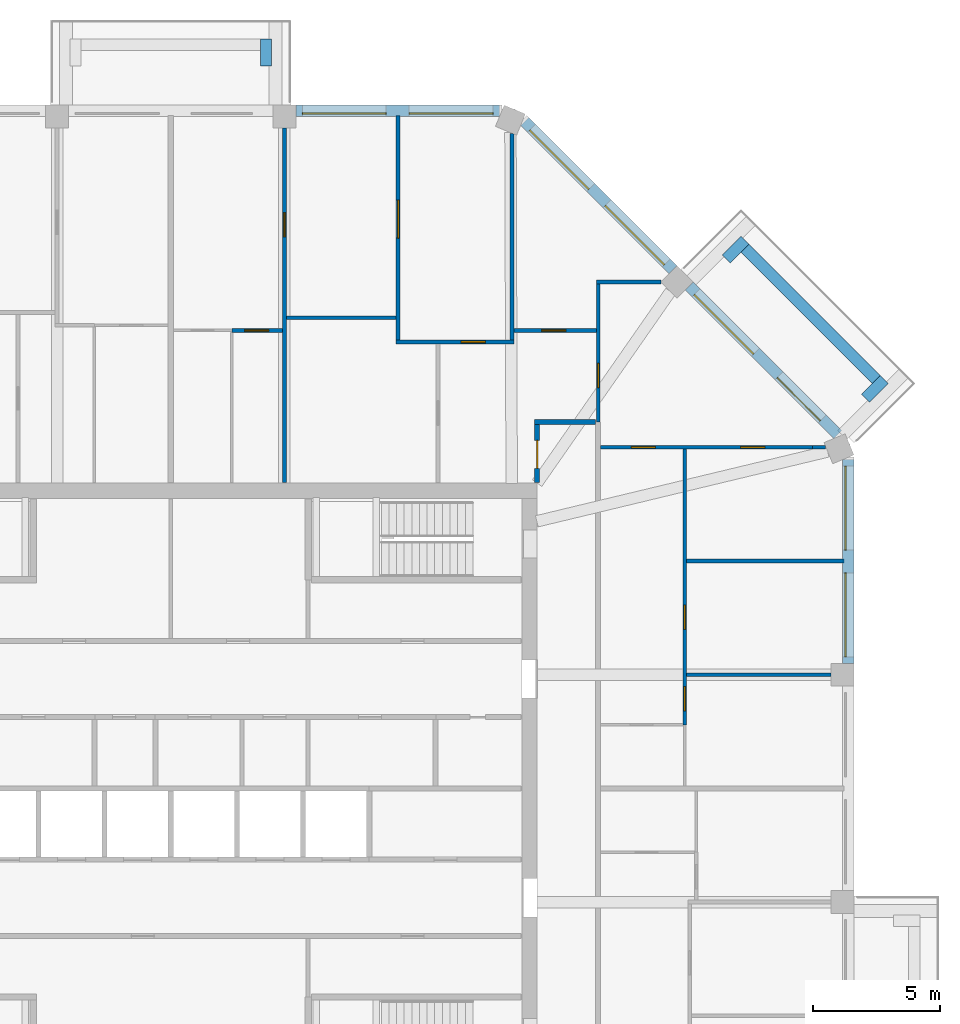
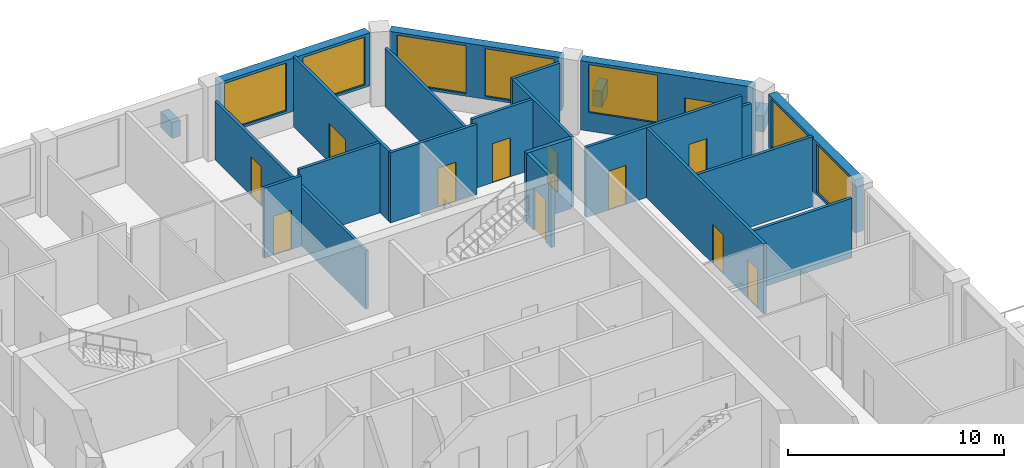
# One storey, part 9 of 11: 24 walls, 12 doors, 7 windows, 19 openings.
"""IFC4 building model written with IfcOpenShell, lengths in metres."""

from ifc_helpers import new_model, si_unit, direction, frame, frame_2d, origin, place, context, subcontext, project, spatial, rectangle, extrude, material, layer, layer_set, type_object, element, fill, save


model = new_model("IFC4")

# Units and contexts
model_context = context("Model", 3, precision=1e-05, world=origin(), true_north=direction((0.0, 1.0)))
body_context = subcontext(model_context, "Body", "Model", "MODEL_VIEW")
ifc_project = project(units=[si_unit("LENGTHUNIT", "METRE"), si_unit("AREAUNIT", "SQUARE_METRE"), si_unit("VOLUMEUNIT", "CUBIC_METRE"), si_unit("PLANEANGLEUNIT", "RADIAN"), si_unit("MASSUNIT", "GRAM", prefix="KILO")], contexts=[model_context])

# Site, building, storey
site_placement = place(None, origin())
site = spatial("IfcSite", under=ifc_project, at=site_placement, CompositionType="ELEMENT")
building_placement = place(site_placement, origin())
building = spatial("IfcBuilding", under=site, at=building_placement, Name="Msitu Wima Residences", CompositionType="ELEMENT")
storey_placement = place(building_placement, frame((0.0, 0.0, 230.699951171875)))
storey = spatial("IfcBuildingStorey", under=building, at=storey_placement, Name="L53", CompositionType="ELEMENT", Elevation=230.699951171875)

# Walls
ifc_material_1 = material(Name="Facing brick")
ifc_layer_1 = layer(ifc_material_1, 0.06494140625, Name="Facing brick")
ifc_material_2 = material(Name="Concrete C40/50", Category="concrete")
ifc_layer_2 = layer(ifc_material_2, 0.156005859375, Name="Concrete C40/50")
ifc_material_3 = material(Name="Waterproofing membrane")
ifc_layer_3 = layer(ifc_material_3, 0.00390625, Name="Waterproofing membrane")
ifc_material_4 = material(Name="Planting soil and planting")
ifc_layer_4 = layer(ifc_material_4, 0.22509765625, Name="Planting soil and planting")
ifc_layer_set_1 = layer_set([ifc_layer_1, ifc_layer_2, ifc_layer_3, ifc_layer_4], Name="Concrete C40/50")
wall_type_1 = type_object("IfcWallType", Name="Balcony planter PLANTER PL450", PredefinedType="USERDEFINED", material=ifc_layer_set_1)
wall_1_placement = place(storey_placement, frame((27.725830078125, 16.0751953125, 0.0), z_axis=(0.0, 0.0, 1.0), x_axis=(-0.707106781187, 0.707106781187, 0.0)))
element("IfcWall", 1, at=wall_1_placement, inside=storey, type_object=wall_type_1, Name="Balcony planter NE0 L53", ObjectType="PLANTER", PredefinedType="USERDEFINED", context=body_context, shape_type="SweptSolid", body=[
    extrude(rectangle(XDim=7.288330078125, YDim=0.449951171875, at=frame_2d((3.64404296875, 0.0))), origin(), (0.0, 0.0, 1.0), 0.900146484375),
])
for number, where, z_axis, x_axis, name in (
    (2, (27.301513671875, 15.332763671875, 0.0), (0.0, 0.0, 1.0), (0.707106781187, 0.707106781187, 0.0), "Balcony planter NE0 L53"),
    (3, (21.829833984375, 20.804443359375, 0.0), (0.0, 0.0, 1.0), (0.707106781187, 0.707106781187, 0.0), "Balcony planter NE0 L53"),
    (4, (3.74365234375, 28.39990234375, 0.0), (0.0, 0.0, 1.0), (0.0, 1.0, 0.0), "Balcony planter N1 L53"),
):
    element("IfcWall", number, at=place(storey_placement, frame(where, z_axis=z_axis, x_axis=x_axis)), inside=storey, type_object=wall_type_1, Name=name, ObjectType="PLANTER", PredefinedType="USERDEFINED", context=body_context, shape_type="SweptSolid", body=[
        extrude(rectangle(XDim=1.050048828125, YDim=0.449951171875, at=frame_2d((0.52490234375, 0.0))), origin(), (0.0, 0.0, 1.0), 0.900146484375),
    ])

# Wall, openings, windows
ifc_material_5 = material(Name="Brick (red buff mix)", Category="masonry")
ifc_layer_5 = layer(ifc_material_5, 0.449951171875)
ifc_layer_set_2 = layer_set([ifc_layer_5], Name="Brick (red buff mix)")
wall_type_2 = type_object("IfcWallType", Name="Brick infill wall BW450", PredefinedType="SOLIDWALL", material=ifc_layer_set_2)
wall_2_placement = place(storey_placement, frame((26.625, 4.918701171875, 0.900146484375), z_axis=(0.0, 0.0, 1.0), x_axis=(0.0, 1.0, 0.0)))
wall_2 = element("IfcWall", 5, at=wall_2_placement, inside=storey, type_object=wall_type_2, Name="Brick infill wall L53 E2", PredefinedType="SOLIDWALL", context=body_context, shape_type="SweptSolid", body=[
    extrude(rectangle(XDim=8.0, YDim=0.449951171875, at=frame_2d((4.0, 0.0))), origin(), (0.0, 0.0, 1.0), 3.0),
])
opening_1_placement = place(wall_2_placement, frame((0.25, 0.0, 0.14990234375)))
opening_1 = element("IfcOpeningElement", 6, at=opening_1_placement, cuts=wall_2, Name="Opening W52-54.004", PredefinedType="OPENING", context=body_context, shape_type="SweptSolid", body=[
    extrude(rectangle(XDim=3.300048828125, YDim=2.699951171875, at=frame_2d((1.64990234375, 1.35009765625))), frame((0.0, 0.23486328125, 0.0), z_axis=(0.0, -1.0, 0.0), x_axis=(1.0, 0.0, 0.0)), (0.0, 0.0, 1.0), 0.469970703125),
])
opening_2_placement = place(wall_2_placement, frame((4.4501953125, 0.0, 0.14990234375)))
opening_2 = element("IfcOpeningElement", 7, at=opening_2_placement, cuts=wall_2, Name="Opening W52-54.005", PredefinedType="OPENING", context=body_context, shape_type="SweptSolid", body=[
    extrude(rectangle(XDim=3.300048828125, YDim=2.699951171875, at=frame_2d((1.64990234375, 1.35009765625))), frame((0.0, 0.23486328125, 0.0), z_axis=(0.0, -1.0, 0.0), x_axis=(1.0, 0.0, 0.0)), (0.0, 0.0, 1.0), 0.469970703125),
])
ifc_material_6 = material(Name="Anodised aluminium, bronze finish, clear low-emissivity double glazing", Category="aluminium")
window_type = type_object("IfcWindowType", Name="Window W3300x2700", PartitioningType="DOUBLE_PANEL_VERTICAL", PredefinedType="WINDOW", material=ifc_material_6)
window_1_placement = place(opening_1_placement, origin())
window_1 = element("IfcWindow", 8, at=window_1_placement, inside=storey, type_object=window_type, Name="Window L53 E2.1", OverallHeight=2.699951171875, OverallWidth=3.300048828125, PartitioningType="SINGLE_PANEL", PredefinedType="WINDOW", context=body_context, shape_type="SweptSolid", body=[
    extrude(rectangle(XDim=3.300048828125, YDim=2.699951171875, at=frame_2d((1.64990234375, 1.35009765625))), frame((0.0, 0.135009765625, 0.0), z_axis=(0.0, -1.0, 0.0), x_axis=(1.0, 0.0, 0.0)), (0.0, 0.0, 1.0), 0.06005859375),
])
fill(opening_1, window_1)
window_2_placement = place(opening_2_placement, origin())
window_2 = element("IfcWindow", 9, at=window_2_placement, inside=storey, type_object=window_type, Name="Window L53 E2.2", OverallHeight=2.699951171875, OverallWidth=3.300048828125, PartitioningType="SINGLE_PANEL", PredefinedType="WINDOW", context=body_context, shape_type="SweptSolid", body=[
    extrude(rectangle(XDim=3.300048828125, YDim=2.699951171875, at=frame_2d((1.64990234375, 1.35009765625))), frame((0.0, 0.135009765625, 0.0), z_axis=(0.0, -1.0, 0.0), x_axis=(1.0, 0.0, 0.0)), (0.0, 0.0, 1.0), 0.06005859375),
])
fill(opening_2, window_2)

# Wall, openings, door, window
wall_3_placement = place(storey_placement, frame((26.214599609375, 13.909423828125, 0.0), z_axis=(0.0, 0.0, 1.0), x_axis=(-0.707106781187, 0.707106781187, 0.0)))
wall_3 = element("IfcWall", 10, at=wall_3_placement, inside=storey, type_object=wall_type_2, Name="Brick infill wall L53 NE0", PredefinedType="SOLIDWALL", context=body_context, shape_type="SweptSolid", body=[
    extrude(rectangle(XDim=8.251220703125, YDim=0.449951171875, at=frame_2d((4.12548828125, 0.0))), origin(), (0.0, 0.0, 1.0), 3.900146484375),
])
opening_3_placement = place(wall_3_placement, frame((0.86279296875, 0.0, 0.0)))
opening_3 = element("IfcOpeningElement", 11, at=opening_3_placement, cuts=wall_3, Name="Opening D52-54.003", PredefinedType="OPENING", context=body_context, shape_type="SweptSolid", body=[
    extrude(rectangle(XDim=2.39990234375, YDim=2.699951171875, at=frame_2d((1.199951171875, 1.35009765625))), frame((0.0, 0.23486328125, 0.0), z_axis=(0.0, -1.0, 0.0), x_axis=(1.0, 0.0, 0.0)), (0.0, 0.0, 1.0), 0.469970703125),
])
opening_4_placement = place(wall_3_placement, frame((4.57568359375, 0.0, 1.050048828125)))
opening_4 = element("IfcOpeningElement", 12, at=opening_4_placement, cuts=wall_3, Name="Opening W52-54.011", PredefinedType="OPENING", context=body_context, shape_type="SweptSolid", body=[
    extrude(rectangle(XDim=3.300048828125, YDim=2.699951171875, at=frame_2d((1.64990234375, 1.35009765625))), frame((0.0, 0.23486328125, 0.0), z_axis=(0.0, -1.0, 0.0), x_axis=(1.0, 0.0, 0.0)), (0.0, 0.0, 1.0), 0.469970703125),
])
door_type_1 = type_object("IfcDoorType", Name="Balcony door D2400x2700", OperationType="SLIDING_TO_LEFT", PredefinedType="DOOR", material=ifc_material_6)
door_1_placement = place(opening_3_placement, origin())
door_1 = element("IfcDoor", 13, at=door_1_placement, inside=storey, type_object=door_type_1, Name="Balcony door L53 NE0", OperationType="SINGLE_SWING_LEFT", OverallHeight=2.699951171875, OverallWidth=2.39990234375, PredefinedType="DOOR", context=body_context, shape_type="SweptSolid", body=[
    extrude(rectangle(XDim=2.39990234375, YDim=2.699951171875, at=frame_2d((1.199951171875, 1.35009765625))), frame((0.0, 0.1298828125, 0.0), z_axis=(0.0, -1.0, 0.0), x_axis=(1.0, 0.0, 0.0)), (0.0, 0.0, 1.0), 0.050048828125),
])
fill(opening_3, door_1)
window_3_placement = place(opening_4_placement, origin())
window_3 = element("IfcWindow", 14, at=window_3_placement, inside=storey, type_object=window_type, Name="Window L53 NE0.2", OverallHeight=2.699951171875, OverallWidth=3.300048828125, PartitioningType="SINGLE_PANEL", PredefinedType="WINDOW", context=body_context, shape_type="SweptSolid", body=[
    extrude(rectangle(XDim=3.300048828125, YDim=2.699951171875, at=frame_2d((1.64990234375, 1.35009765625))), frame((0.0, 0.135009765625, 0.0), z_axis=(0.0, -1.0, 0.0), x_axis=(1.0, 0.0, 0.0)), (0.0, 0.0, 1.0), 0.06005859375),
])
fill(opening_4, window_3)

# Wall, openings, windows
wall_4_placement = place(storey_placement, frame((19.743896484375, 20.380126953125, 0.900146484375), z_axis=(0.0, 0.0, 1.0), x_axis=(-0.707106781187, 0.707106781187, 0.0)))
wall_4 = element("IfcWall", 15, at=wall_4_placement, inside=storey, type_object=wall_type_2, Name="Brick infill wall L53 NE1", PredefinedType="SOLIDWALL", context=body_context, shape_type="SweptSolid", body=[
    extrude(rectangle(XDim=8.251220703125, YDim=0.449951171875, at=frame_2d((4.12548828125, 0.0))), origin(), (0.0, 0.0, 1.0), 3.0),
])
opening_5_placement = place(wall_4_placement, frame((0.37548828125, 0.0, 0.14990234375)))
opening_5 = element("IfcOpeningElement", 16, at=opening_5_placement, cuts=wall_4, Name="Opening W52-54.012", PredefinedType="OPENING", context=body_context, shape_type="SweptSolid", body=[
    extrude(rectangle(XDim=3.300048828125, YDim=2.699951171875, at=frame_2d((1.64990234375, 1.35009765625))), frame((0.0, 0.23486328125, 0.0), z_axis=(0.0, -1.0, 0.0), x_axis=(1.0, 0.0, 0.0)), (0.0, 0.0, 1.0), 0.469970703125),
])
opening_6_placement = place(wall_4_placement, frame((4.57568359375, 0.0, 0.14990234375)))
opening_6 = element("IfcOpeningElement", 17, at=opening_6_placement, cuts=wall_4, Name="Opening W52-54.013", PredefinedType="OPENING", context=body_context, shape_type="SweptSolid", body=[
    extrude(rectangle(XDim=3.300048828125, YDim=2.699951171875, at=frame_2d((1.64990234375, 1.35009765625))), frame((0.0, 0.23486328125, 0.0), z_axis=(0.0, -1.0, 0.0), x_axis=(1.0, 0.0, 0.0)), (0.0, 0.0, 1.0), 0.469970703125),
])
window_4_placement = place(opening_5_placement, origin())
window_4 = element("IfcWindow", 18, at=window_4_placement, inside=storey, type_object=window_type, Name="Window L53 NE1.1", OverallHeight=2.699951171875, OverallWidth=3.300048828125, PartitioningType="SINGLE_PANEL", PredefinedType="WINDOW", context=body_context, shape_type="SweptSolid", body=[
    extrude(rectangle(XDim=3.300048828125, YDim=2.699951171875, at=frame_2d((1.64990234375, 1.35009765625))), frame((0.0, 0.135009765625, 0.0), z_axis=(0.0, -1.0, 0.0), x_axis=(1.0, 0.0, 0.0)), (0.0, 0.0, 1.0), 0.06005859375),
])
fill(opening_5, window_4)
window_5_placement = place(opening_6_placement, origin())
window_5 = element("IfcWindow", 19, at=window_5_placement, inside=storey, type_object=window_type, Name="Window L53 NE1.2", OverallHeight=2.699951171875, OverallWidth=3.300048828125, PartitioningType="SINGLE_PANEL", PredefinedType="WINDOW", context=body_context, shape_type="SweptSolid", body=[
    extrude(rectangle(XDim=3.300048828125, YDim=2.699951171875, at=frame_2d((1.64990234375, 1.35009765625))), frame((0.0, 0.135009765625, 0.0), z_axis=(0.0, -1.0, 0.0), x_axis=(1.0, 0.0, 0.0)), (0.0, 0.0, 1.0), 0.06005859375),
])
fill(opening_6, window_5)

wall_5_placement = place(storey_placement, frame((12.918701171875, 26.625, 0.900146484375), z_axis=(0.0, 0.0, 1.0), x_axis=(-1.0, 0.0, 0.0)))
wall_5 = element("IfcWall", 20, at=wall_5_placement, inside=storey, type_object=wall_type_2, Name="Brick infill wall L53 N0", PredefinedType="SOLIDWALL", context=body_context, shape_type="SweptSolid", body=[
    extrude(rectangle(XDim=8.0, YDim=0.449951171875, at=frame_2d((4.0, 0.0))), origin(), (0.0, 0.0, 1.0), 3.0),
])
opening_7_placement = place(wall_5_placement, frame((0.25, 0.0, 0.14990234375)))
opening_7 = element("IfcOpeningElement", 21, at=opening_7_placement, cuts=wall_5, Name="Opening W52-54.006", PredefinedType="OPENING", context=body_context, shape_type="SweptSolid", body=[
    extrude(rectangle(XDim=3.300048828125, YDim=2.699951171875, at=frame_2d((1.64990234375, 1.35009765625))), frame((0.0, 0.23486328125, 0.0), z_axis=(0.0, -1.0, 0.0), x_axis=(1.0, 0.0, 0.0)), (0.0, 0.0, 1.0), 0.469970703125),
])
opening_8_placement = place(wall_5_placement, frame((4.4501953125, 0.0, 0.14990234375)))
opening_8 = element("IfcOpeningElement", 22, at=opening_8_placement, cuts=wall_5, Name="Opening W52-54.007", PredefinedType="OPENING", context=body_context, shape_type="SweptSolid", body=[
    extrude(rectangle(XDim=3.300048828125, YDim=2.699951171875, at=frame_2d((1.64990234375, 1.35009765625))), frame((0.0, 0.23486328125, 0.0), z_axis=(0.0, -1.0, 0.0), x_axis=(1.0, 0.0, 0.0)), (0.0, 0.0, 1.0), 0.469970703125),
])
window_6_placement = place(opening_7_placement, origin())
window_6 = element("IfcWindow", 23, at=window_6_placement, inside=storey, type_object=window_type, Name="Window L53 N0.1", OverallHeight=2.699951171875, OverallWidth=3.300048828125, PartitioningType="SINGLE_PANEL", PredefinedType="WINDOW", context=body_context, shape_type="SweptSolid", body=[
    extrude(rectangle(XDim=3.300048828125, YDim=2.699951171875, at=frame_2d((1.64990234375, 1.35009765625))), frame((0.0, 0.135009765625, 0.0), z_axis=(0.0, -1.0, 0.0), x_axis=(1.0, 0.0, 0.0)), (0.0, 0.0, 1.0), 0.06005859375),
])
fill(opening_7, window_6)
window_7_placement = place(opening_8_placement, origin())
window_7 = element("IfcWindow", 24, at=window_7_placement, inside=storey, type_object=window_type, Name="Window L53 N0.2", OverallHeight=2.699951171875, OverallWidth=3.300048828125, PartitioningType="SINGLE_PANEL", PredefinedType="WINDOW", context=body_context, shape_type="SweptSolid", body=[
    extrude(rectangle(XDim=3.300048828125, YDim=2.699951171875, at=frame_2d((1.64990234375, 1.35009765625))), frame((0.0, 0.135009765625, 0.0), z_axis=(0.0, -1.0, 0.0), x_axis=(1.0, 0.0, 0.0)), (0.0, 0.0, 1.0), 0.06005859375),
])
fill(opening_8, window_7)

# Wall, opening, door
ifc_material_7 = material(Name="Plaster")
ifc_layer_6 = layer(ifc_material_7, 0.011962890625, Name="Plaster")
ifc_material_8 = material(Name="Concrete blockwork", Category="masonry")
ifc_layer_7 = layer(ifc_material_8, 0.176025390625, Name="Concrete blockwork")
ifc_layer_8 = layer(ifc_material_7, 0.011962890625, Name="Plaster")
ifc_layer_set_3 = layer_set([ifc_layer_6, ifc_layer_7, ifc_layer_8], Name="Concrete blockwork")
wall_type_3 = type_object("IfcWallType", Name="Corridor wall FW200", PredefinedType="PARTITIONING", material=ifc_layer_set_3)
wall_6_placement = place(storey_placement, frame((14.39990234375, 12.030029296875, 0.0), z_axis=(0.0, 0.0, 1.0), x_axis=(0.0, 1.0, 0.0)))
wall_6 = element("IfcWall", 25, at=wall_6_placement, inside=storey, type_object=wall_type_3, Name="Corridor wall", PredefinedType="PARTITIONING", context=body_context, shape_type="SweptSolid", body=[
    extrude(rectangle(XDim=2.27001953125, YDim=0.199951171875, at=frame_2d((1.135009765625, 0.0))), origin(), (0.0, 0.0, 1.0), 3.949951171875),
])
opening_9_placement = place(wall_6_placement, frame((0.550048828125, 0.0, 0.0)))
opening_9 = element("IfcOpeningElement", 26, at=opening_9_placement, cuts=wall_6, Name="Opening D52-54.008", PredefinedType="OPENING", context=body_context, shape_type="SweptSolid", body=[
    extrude(rectangle(XDim=1.10009765625, YDim=2.39990234375, at=frame_2d((0.550048828125, 1.199951171875))), frame((0.0, 0.10986328125, 0.0), z_axis=(0.0, -1.0, 0.0), x_axis=(1.0, 0.0, 0.0)), (0.0, 0.0, 1.0), 0.219970703125),
])
ifc_material_9 = material(Name="Timber flush door, fire resisting, self-closing", Category="wood")
door_type_2 = type_object("IfcDoorType", Name="Flat entrance door D01 1100x2400", OperationType="SINGLE_SWING_LEFT", PredefinedType="DOOR", material=ifc_material_9)
door_2_placement = place(opening_9_placement, origin())
door_2 = element("IfcDoor", 27, at=door_2_placement, inside=storey, type_object=door_type_2, Name="Flat entrance door", OperationType="SINGLE_SWING_LEFT", OverallHeight=2.39990234375, OverallWidth=1.10009765625, PredefinedType="DOOR", context=body_context, shape_type="SweptSolid", body=[
    extrude(rectangle(XDim=1.10009765625, YDim=2.39990234375, at=frame_2d((0.550048828125, 1.199951171875))), frame((0.0, 0.02490234375, 0.0), z_axis=(0.0, -1.0, 0.0), x_axis=(1.0, 0.0, 0.0)), (0.0, 0.0, 1.0), 0.050048828125),
])
fill(opening_9, door_2)

# Wall
wall_7_placement = place(storey_placement, frame((14.300048828125, 14.39990234375, 0.0), z_axis=(0.0, 0.0, 1.0), x_axis=(1.0, 0.0, 0.0)))
element("IfcWall", 28, at=wall_7_placement, inside=storey, type_object=wall_type_3, Name="Corridor wall", PredefinedType="PARTITIONING", context=body_context, shape_type="SweptSolid", body=[
    extrude(rectangle(XDim=2.39990234375, YDim=0.199951171875, at=frame_2d((1.199951171875, 0.0))), origin(), (0.0, 0.0, 1.0), 3.949951171875),
])

# Wall, opening, door
ifc_layer_9 = layer(ifc_material_7, 0.011962890625, Name="Plaster")
ifc_layer_10 = layer(ifc_material_8, 0.1259765625, Name="Concrete blockwork")
ifc_layer_11 = layer(ifc_material_7, 0.011962890625, Name="Plaster")
ifc_layer_set_4 = layer_set([ifc_layer_9, ifc_layer_10, ifc_layer_11], Name="Concrete blockwork")
wall_type_4 = type_object("IfcWallType", Name="Partition PW150", PredefinedType="PARTITIONING", material=ifc_layer_set_4)
wall_8_placement = place(storey_placement, frame((2.39990234375, 18.0, 0.0), z_axis=(0.0, 0.0, 1.0), x_axis=(1.0, 0.0, 0.0)))
wall_8 = element("IfcWall", 29, at=wall_8_placement, inside=storey, type_object=wall_type_4, Name="Partition", PredefinedType="PARTITIONING", context=body_context, shape_type="SweptSolid", body=[
    extrude(rectangle(XDim=1.99365234375, YDim=0.14990234375, at=frame_2d((0.996826171875, 0.0))), origin(), (0.0, 0.0, 1.0), 3.949951171875),
])
opening_10_placement = place(wall_8_placement, frame((0.5, 0.0, 0.0)))
opening_10 = element("IfcOpeningElement", 30, at=opening_10_placement, cuts=wall_8, Name="Opening D52-54.013", PredefinedType="OPENING", context=body_context, shape_type="SweptSolid", body=[
    extrude(rectangle(XDim=0.949951171875, YDim=2.199951171875, at=frame_2d((0.47509765625, 1.10009765625))), frame((0.0, 0.0849609375, 0.0), z_axis=(0.0, -1.0, 0.0), x_axis=(1.0, 0.0, 0.0)), (0.0, 0.0, 1.0), 0.169921875),
])
ifc_material_10 = material(Name="Timber flush door", Category="wood")
door_type_3 = type_object("IfcDoorType", Name="Room door D12 950x2200", OperationType="SINGLE_SWING_LEFT", PredefinedType="DOOR", material=ifc_material_10)
door_3_placement = place(opening_10_placement, origin())
door_3 = element("IfcDoor", 31, at=door_3_placement, inside=storey, type_object=door_type_3, Name="Room door", OperationType="SINGLE_SWING_RIGHT", OverallHeight=2.199951171875, OverallWidth=0.949951171875, PredefinedType="DOOR", context=body_context, shape_type="SweptSolid", body=[
    extrude(rectangle(XDim=0.949951171875, YDim=2.199951171875, at=frame_2d((0.47509765625, 1.10009765625))), frame((0.0, 0.02490234375, 0.0), z_axis=(0.0, -1.0, 0.0), x_axis=(1.0, 0.0, 0.0)), (0.0, 0.0, 1.0), 0.050048828125),
])
fill(opening_10, door_3)

wall_9_placement = place(storey_placement, frame((4.46875, 12.030029296875, 0.0), z_axis=(0.0, 0.0, 1.0), x_axis=(0.0, 1.0, 0.0)))
wall_9 = element("IfcWall", 32, at=wall_9_placement, inside=storey, type_object=wall_type_4, Name="Partition", PredefinedType="PARTITIONING", context=body_context, shape_type="SweptSolid", body=[
    extrude(rectangle(XDim=13.919921875, YDim=0.14990234375, at=frame_2d((6.9599609375, 0.0))), origin(), (0.0, 0.0, 1.0), 3.300048828125),
])
opening_11_placement = place(wall_9_placement, frame((9.64990234375, 0.0, 0.0)))
opening_11 = element("IfcOpeningElement", 33, at=opening_11_placement, cuts=wall_9, Name="Opening D52-54.010", PredefinedType="OPENING", context=body_context, shape_type="SweptSolid", body=[
    extrude(rectangle(XDim=0.949951171875, YDim=2.199951171875, at=frame_2d((0.47509765625, 1.10009765625))), frame((0.0, 0.0849609375, 0.0), z_axis=(0.0, -1.0, 0.0), x_axis=(1.0, 0.0, 0.0)), (0.0, 0.0, 1.0), 0.169921875),
])
door_4_placement = place(opening_11_placement, origin())
door_4 = element("IfcDoor", 34, at=door_4_placement, inside=storey, type_object=door_type_3, Name="Room door", OperationType="SINGLE_SWING_RIGHT", OverallHeight=2.199951171875, OverallWidth=0.949951171875, PredefinedType="DOOR", context=body_context, shape_type="SweptSolid", body=[
    extrude(rectangle(XDim=0.949951171875, YDim=2.199951171875, at=frame_2d((0.47509765625, 1.10009765625))), frame((0.0, 0.02490234375, 0.0), z_axis=(0.0, -1.0, 0.0), x_axis=(1.0, 0.0, 0.0)), (0.0, 0.0, 1.0), 0.050048828125),
])
fill(opening_11, door_4)

# Wall
wall_10_placement = place(storey_placement, frame((4.543701171875, 18.5, 0.0), z_axis=(0.0, 0.0, 1.0), x_axis=(1.0, 0.0, 0.0)))
element("IfcWall", 35, at=wall_10_placement, inside=storey, type_object=wall_type_4, Name="Partition", PredefinedType="PARTITIONING", context=body_context, shape_type="SweptSolid", body=[
    extrude(rectangle(XDim=4.318603515625, YDim=0.14990234375, at=frame_2d((2.1591796875, 0.0))), origin(), (0.0, 0.0, 1.0), 3.949951171875),
])

# Wall, opening, door
wall_11_placement = place(storey_placement, frame((8.937255859375, 17.625, 0.0), z_axis=(0.0, 0.0, 1.0), x_axis=(0.0, 1.0, 0.0)))
wall_11 = element("IfcWall", 36, at=wall_11_placement, inside=storey, type_object=wall_type_4, Name="Partition", PredefinedType="PARTITIONING", context=body_context, shape_type="SweptSolid", body=[
    extrude(rectangle(XDim=8.830078125, YDim=0.14990234375, at=frame_2d((4.4150390625, 0.0))), origin(), (0.0, 0.0, 1.0), 3.949951171875),
])
opening_12_placement = place(wall_11_placement, frame((4.0, 0.0, 0.0)))
opening_12 = element("IfcOpeningElement", 37, at=opening_12_placement, cuts=wall_11, Name="Opening D52-54.017", PredefinedType="OPENING", context=body_context, shape_type="SweptSolid", body=[
    extrude(rectangle(XDim=1.5, YDim=2.199951171875, at=frame_2d((0.75, 1.10009765625))), frame((0.0, 0.0849609375, 0.0), z_axis=(0.0, -1.0, 0.0), x_axis=(1.0, 0.0, 0.0)), (0.0, 0.0, 1.0), 0.169921875),
])
ifc_material_11 = material(Name="Timber double door", Category="wood")
door_type_4 = type_object("IfcDoorType", Name="Double door D04 1500x2200", OperationType="DOUBLE_DOOR_SINGLE_SWING", PredefinedType="DOOR", material=ifc_material_11)
door_5_placement = place(opening_12_placement, origin())
door_5 = element("IfcDoor", 38, at=door_5_placement, inside=storey, type_object=door_type_4, Name="Double door", OperationType="DOUBLE_DOOR_SINGLE_SWING", OverallHeight=2.199951171875, OverallWidth=1.5, PredefinedType="DOOR", context=body_context, shape_type="SweptSolid", body=[
    extrude(rectangle(XDim=1.5, YDim=2.199951171875, at=frame_2d((0.75, 1.10009765625))), frame((0.0, 0.02490234375, 0.0), z_axis=(0.0, -1.0, 0.0), x_axis=(1.0, 0.0, 0.0)), (0.0, 0.0, 1.0), 0.050048828125),
])
fill(opening_12, door_5)

wall_12_placement = place(storey_placement, frame((8.8623046875, 17.550048828125, 0.0), z_axis=(0.0, 0.0, 1.0), x_axis=(1.0, 0.0, 0.0)))
wall_12 = element("IfcWall", 39, at=wall_12_placement, inside=storey, type_object=wall_type_4, Name="Partition", PredefinedType="PARTITIONING", context=body_context, shape_type="SweptSolid", body=[
    extrude(rectangle(XDim=4.61865234375, YDim=0.14990234375, at=frame_2d((2.309326171875, 0.0))), origin(), (0.0, 0.0, 1.0), 3.949951171875),
])
opening_13_placement = place(wall_12_placement, frame((2.550048828125, 0.0, 0.0)))
opening_13 = element("IfcOpeningElement", 40, at=opening_13_placement, cuts=wall_12, Name="Opening D52-54.014", PredefinedType="OPENING", context=body_context, shape_type="SweptSolid", body=[
    extrude(rectangle(XDim=0.949951171875, YDim=2.199951171875, at=frame_2d((0.47509765625, 1.10009765625))), frame((0.0, 0.0849609375, 0.0), z_axis=(0.0, -1.0, 0.0), x_axis=(1.0, 0.0, 0.0)), (0.0, 0.0, 1.0), 0.169921875),
])
door_6_placement = place(opening_13_placement, origin())
door_6 = element("IfcDoor", 41, at=door_6_placement, inside=storey, type_object=door_type_3, Name="Room door", OperationType="SINGLE_SWING_RIGHT", OverallHeight=2.199951171875, OverallWidth=0.949951171875, PredefinedType="DOOR", context=body_context, shape_type="SweptSolid", body=[
    extrude(rectangle(XDim=0.949951171875, YDim=2.199951171875, at=frame_2d((0.47509765625, 1.10009765625))), frame((0.0, 0.02490234375, 0.0), z_axis=(0.0, -1.0, 0.0), x_axis=(1.0, 0.0, 0.0)), (0.0, 0.0, 1.0), 0.050048828125),
])
fill(opening_13, door_6)

# Wall
wall_13_placement = place(storey_placement, frame((13.406005859375, 17.625, 0.0), z_axis=(0.0, 0.0, 1.0), x_axis=(0.0, 1.0, 0.0)))
element("IfcWall", 42, at=wall_13_placement, inside=storey, type_object=wall_type_4, Name="Partition", PredefinedType="PARTITIONING", context=body_context, shape_type="SweptSolid", body=[
    extrude(rectangle(XDim=8.106201171875, YDim=0.14990234375, at=frame_2d((4.05322265625, 0.0))), origin(), (0.0, 0.0, 1.0), 3.300048828125),
])

# Wall, opening, door
wall_14_placement = place(storey_placement, frame((13.48095703125, 18.0, 0.0), z_axis=(0.0, 0.0, 1.0), x_axis=(1.0, 0.0, 0.0)))
wall_14 = element("IfcWall", 43, at=wall_14_placement, inside=storey, type_object=wall_type_4, Name="Partition", PredefinedType="PARTITIONING", context=body_context, shape_type="SweptSolid", body=[
    extrude(rectangle(XDim=3.244140625, YDim=0.14990234375, at=frame_2d((1.6220703125, 0.0))), origin(), (0.0, 0.0, 1.0), 3.949951171875),
])
opening_14_placement = place(wall_14_placement, frame((1.10009765625, 0.0, 0.0)))
opening_14 = element("IfcOpeningElement", 44, at=opening_14_placement, cuts=wall_14, Name="Opening D52-54.015", PredefinedType="OPENING", context=body_context, shape_type="SweptSolid", body=[
    extrude(rectangle(XDim=0.949951171875, YDim=2.199951171875, at=frame_2d((0.47509765625, 1.10009765625))), frame((0.0, 0.0849609375, 0.0), z_axis=(0.0, -1.0, 0.0), x_axis=(1.0, 0.0, 0.0)), (0.0, 0.0, 1.0), 0.169921875),
])
door_7_placement = place(opening_14_placement, origin())
door_7 = element("IfcDoor", 45, at=door_7_placement, inside=storey, type_object=door_type_3, Name="Room door", OperationType="SINGLE_SWING_LEFT", OverallHeight=2.199951171875, OverallWidth=0.949951171875, PredefinedType="DOOR", context=body_context, shape_type="SweptSolid", body=[
    extrude(rectangle(XDim=0.949951171875, YDim=2.199951171875, at=frame_2d((0.47509765625, 1.10009765625))), frame((0.0, 0.02490234375, 0.0), z_axis=(0.0, -1.0, 0.0), x_axis=(1.0, 0.0, 0.0)), (0.0, 0.0, 1.0), 0.050048828125),
])
fill(opening_14, door_7)

# Wall, openings, doors
wall_15_placement = place(storey_placement, frame((16.89990234375, 13.406005859375, 0.0), z_axis=(0.0, 0.0, 1.0), x_axis=(1.0, 0.0, 0.0)))
wall_15 = element("IfcWall", 46, at=wall_15_placement, inside=storey, type_object=wall_type_4, Name="Partition", PredefinedType="PARTITIONING", context=body_context, shape_type="SweptSolid", body=[
    extrude(rectangle(XDim=8.32421875, YDim=0.14990234375, at=frame_2d((4.162109375, 0.0))), origin(), (0.0, 0.0, 1.0), 3.949951171875),
])
opening_15_placement = place(wall_15_placement, frame((1.199951171875, 0.0, 0.0)))
opening_15 = element("IfcOpeningElement", 47, at=opening_15_placement, cuts=wall_15, Name="Opening D52-54.018", PredefinedType="OPENING", context=body_context, shape_type="SweptSolid", body=[
    extrude(rectangle(XDim=0.949951171875, YDim=2.199951171875, at=frame_2d((0.47509765625, 1.10009765625))), frame((0.0, 0.0849609375, 0.0), z_axis=(0.0, -1.0, 0.0), x_axis=(1.0, 0.0, 0.0)), (0.0, 0.0, 1.0), 0.169921875),
])
opening_16_placement = place(wall_15_placement, frame((5.5, 0.0, 0.0)))
opening_16 = element("IfcOpeningElement", 48, at=opening_16_placement, cuts=wall_15, Name="Opening D52-54.021", PredefinedType="OPENING", context=body_context, shape_type="SweptSolid", body=[
    extrude(rectangle(XDim=0.949951171875, YDim=2.199951171875, at=frame_2d((0.47509765625, 1.10009765625))), frame((0.0, 0.0849609375, 0.0), z_axis=(0.0, -1.0, 0.0), x_axis=(1.0, 0.0, 0.0)), (0.0, 0.0, 1.0), 0.169921875),
])
door_8_placement = place(opening_15_placement, origin())
door_8 = element("IfcDoor", 49, at=door_8_placement, inside=storey, type_object=door_type_3, Name="Room door", OperationType="SINGLE_SWING_LEFT", OverallHeight=2.199951171875, OverallWidth=0.949951171875, PredefinedType="DOOR", context=body_context, shape_type="SweptSolid", body=[
    extrude(rectangle(XDim=0.949951171875, YDim=2.199951171875, at=frame_2d((0.47509765625, 1.10009765625))), frame((0.0, 0.02490234375, 0.0), z_axis=(0.0, -1.0, 0.0), x_axis=(1.0, 0.0, 0.0)), (0.0, 0.0, 1.0), 0.050048828125),
])
fill(opening_15, door_8)
door_9_placement = place(opening_16_placement, origin())
door_9 = element("IfcDoor", 50, at=door_9_placement, inside=storey, type_object=door_type_3, Name="Room door", OperationType="SINGLE_SWING_RIGHT", OverallHeight=2.199951171875, OverallWidth=0.949951171875, PredefinedType="DOOR", context=body_context, shape_type="SweptSolid", body=[
    extrude(rectangle(XDim=0.949951171875, YDim=2.199951171875, at=frame_2d((0.47509765625, 1.10009765625))), frame((0.0, 0.02490234375, 0.0), z_axis=(0.0, -1.0, 0.0), x_axis=(1.0, 0.0, 0.0)), (0.0, 0.0, 1.0), 0.050048828125),
])
fill(opening_16, door_9)

# Wall
wall_16_placement = place(storey_placement, frame((25.22412109375, 13.406005859375, 0.0), z_axis=(0.0, 0.0, 1.0), x_axis=(1.0, 0.0, 0.0)))
element("IfcWall", 51, at=wall_16_placement, inside=storey, type_object=wall_type_4, Name="Partition", PredefinedType="PARTITIONING", context=body_context, shape_type="SweptSolid", body=[
    extrude(rectangle(XDim=0.507080078125, YDim=0.14990234375, at=frame_2d((0.25341796875, 0.0))), origin(), (0.0, 0.0, 1.0), 3.35009765625),
])

# Wall, opening, door
wall_17_placement = place(storey_placement, frame((16.800048828125, 14.39990234375, 0.0), z_axis=(0.0, 0.0, 1.0), x_axis=(0.0, 1.0, 0.0)))
wall_17 = element("IfcWall", 52, at=wall_17_placement, inside=storey, type_object=wall_type_4, Name="Partition", PredefinedType="PARTITIONING", context=body_context, shape_type="SweptSolid", body=[
    extrude(rectangle(XDim=5.427978515625, YDim=0.14990234375, at=frame_2d((2.7138671875, 0.0))), origin(), (0.0, 0.0, 1.0), 3.949951171875),
])
opening_17_placement = place(wall_17_placement, frame((1.35009765625, 0.0, 0.0)))
opening_17 = element("IfcOpeningElement", 53, at=opening_17_placement, cuts=wall_17, Name="Opening D52-54.016", PredefinedType="OPENING", context=body_context, shape_type="SweptSolid", body=[
    extrude(rectangle(XDim=0.949951171875, YDim=2.199951171875, at=frame_2d((0.47509765625, 1.10009765625))), frame((0.0, 0.0849609375, 0.0), z_axis=(0.0, -1.0, 0.0), x_axis=(1.0, 0.0, 0.0)), (0.0, 0.0, 1.0), 0.169921875),
])
door_10_placement = place(opening_17_placement, origin())
door_10 = element("IfcDoor", 54, at=door_10_placement, inside=storey, type_object=door_type_3, Name="Room door", OperationType="SINGLE_SWING_RIGHT", OverallHeight=2.199951171875, OverallWidth=0.949951171875, PredefinedType="DOOR", context=body_context, shape_type="SweptSolid", body=[
    extrude(rectangle(XDim=0.949951171875, YDim=2.199951171875, at=frame_2d((0.47509765625, 1.10009765625))), frame((0.0, 0.02490234375, 0.0), z_axis=(0.0, -1.0, 0.0), x_axis=(1.0, 0.0, 0.0)), (0.0, 0.0, 1.0), 0.050048828125),
])
fill(opening_17, door_10)

# Wall
wall_18_placement = place(storey_placement, frame((16.72509765625, 19.90283203125, 0.0), z_axis=(0.0, 0.0, 1.0), x_axis=(1.0, 0.0, 0.0)))
element("IfcWall", 55, at=wall_18_placement, inside=storey, type_object=wall_type_4, Name="Partition", PredefinedType="PARTITIONING", context=body_context, shape_type="SweptSolid", body=[
    extrude(rectangle(XDim=2.54150390625, YDim=0.14990234375, at=frame_2d((1.270751953125, 0.0))), origin(), (0.0, 0.0, 1.0), 3.949951171875),
])

# Wall, openings, doors
wall_19_placement = place(storey_placement, frame((20.199951171875, 2.5, 0.0), z_axis=(0.0, 0.0, 1.0), x_axis=(0.0, 1.0, 0.0)))
wall_19 = element("IfcWall", 56, at=wall_19_placement, inside=storey, type_object=wall_type_4, Name="Partition", PredefinedType="PARTITIONING", context=body_context, shape_type="SweptSolid", body=[
    extrude(rectangle(XDim=10.830810546875, YDim=0.14990234375, at=frame_2d((5.41552734375, 0.0))), origin(), (0.0, 0.0, 1.0), 3.949951171875),
])
opening_18_placement = place(wall_19_placement, frame((0.550048828125, 0.0, 0.0)))
opening_18 = element("IfcOpeningElement", 57, at=opening_18_placement, cuts=wall_19, Name="Opening D52-54.019", PredefinedType="OPENING", context=body_context, shape_type="SweptSolid", body=[
    extrude(rectangle(XDim=0.949951171875, YDim=2.199951171875, at=frame_2d((0.47509765625, 1.10009765625))), frame((0.0, 0.0849609375, 0.0), z_axis=(0.0, -1.0, 0.0), x_axis=(1.0, 0.0, 0.0)), (0.0, 0.0, 1.0), 0.169921875),
])
opening_19_placement = place(wall_19_placement, frame((3.75, 0.0, 0.0)))
opening_19 = element("IfcOpeningElement", 58, at=opening_19_placement, cuts=wall_19, Name="Opening D52-54.020", PredefinedType="OPENING", context=body_context, shape_type="SweptSolid", body=[
    extrude(rectangle(XDim=0.949951171875, YDim=2.199951171875, at=frame_2d((0.47509765625, 1.10009765625))), frame((0.0, 0.0849609375, 0.0), z_axis=(0.0, -1.0, 0.0), x_axis=(1.0, 0.0, 0.0)), (0.0, 0.0, 1.0), 0.169921875),
])
door_11_placement = place(opening_18_placement, origin())
door_11 = element("IfcDoor", 59, at=door_11_placement, inside=storey, type_object=door_type_3, Name="Room door", OperationType="SINGLE_SWING_LEFT", OverallHeight=2.199951171875, OverallWidth=0.949951171875, PredefinedType="DOOR", context=body_context, shape_type="SweptSolid", body=[
    extrude(rectangle(XDim=0.949951171875, YDim=2.199951171875, at=frame_2d((0.47509765625, 1.10009765625))), frame((0.0, 0.02490234375, 0.0), z_axis=(0.0, -1.0, 0.0), x_axis=(1.0, 0.0, 0.0)), (0.0, 0.0, 1.0), 0.050048828125),
])
fill(opening_18, door_11)
door_12_placement = place(opening_19_placement, origin())
door_12 = element("IfcDoor", 60, at=door_12_placement, inside=storey, type_object=door_type_3, Name="Room door", OperationType="SINGLE_SWING_LEFT", OverallHeight=2.199951171875, OverallWidth=0.949951171875, PredefinedType="DOOR", context=body_context, shape_type="SweptSolid", body=[
    extrude(rectangle(XDim=0.949951171875, YDim=2.199951171875, at=frame_2d((0.47509765625, 1.10009765625))), frame((0.0, 0.02490234375, 0.0), z_axis=(0.0, -1.0, 0.0), x_axis=(1.0, 0.0, 0.0)), (0.0, 0.0, 1.0), 0.050048828125),
])
fill(opening_19, door_12)

# Walls
wall_20_placement = place(storey_placement, frame((20.27490234375, 4.46875, 0.0), z_axis=(0.0, 0.0, 1.0), x_axis=(1.0, 0.0, 0.0)))
element("IfcWall", 61, at=wall_20_placement, inside=storey, type_object=wall_type_4, Name="Partition", PredefinedType="PARTITIONING", context=body_context, shape_type="SweptSolid", body=[
    extrude(rectangle(XDim=5.675048828125, YDim=0.14990234375, at=frame_2d((2.83740234375, 0.0))), origin(), (0.0, 0.0, 1.0), 3.35009765625),
])
wall_21_placement = place(storey_placement, frame((20.27490234375, 8.937255859375, 0.0), z_axis=(0.0, 0.0, 1.0), x_axis=(1.0, 0.0, 0.0)))
element("IfcWall", 62, at=wall_21_placement, inside=storey, type_object=wall_type_4, Name="Partition", PredefinedType="PARTITIONING", context=body_context, shape_type="SweptSolid", body=[
    extrude(rectangle(XDim=6.18017578125, YDim=0.14990234375, at=frame_2d((3.090087890625, 0.0))), origin(), (0.0, 0.0, 1.0), 3.949951171875),
])

save(model, "model.ifc")
